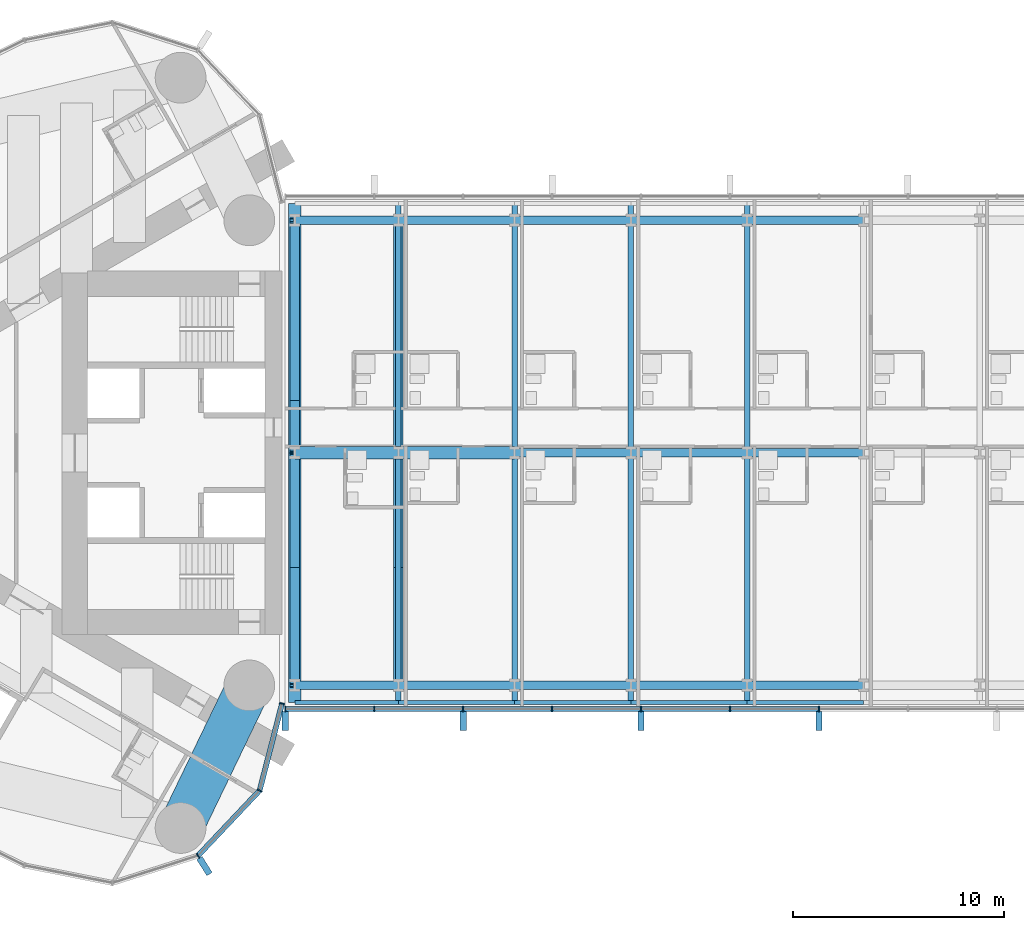
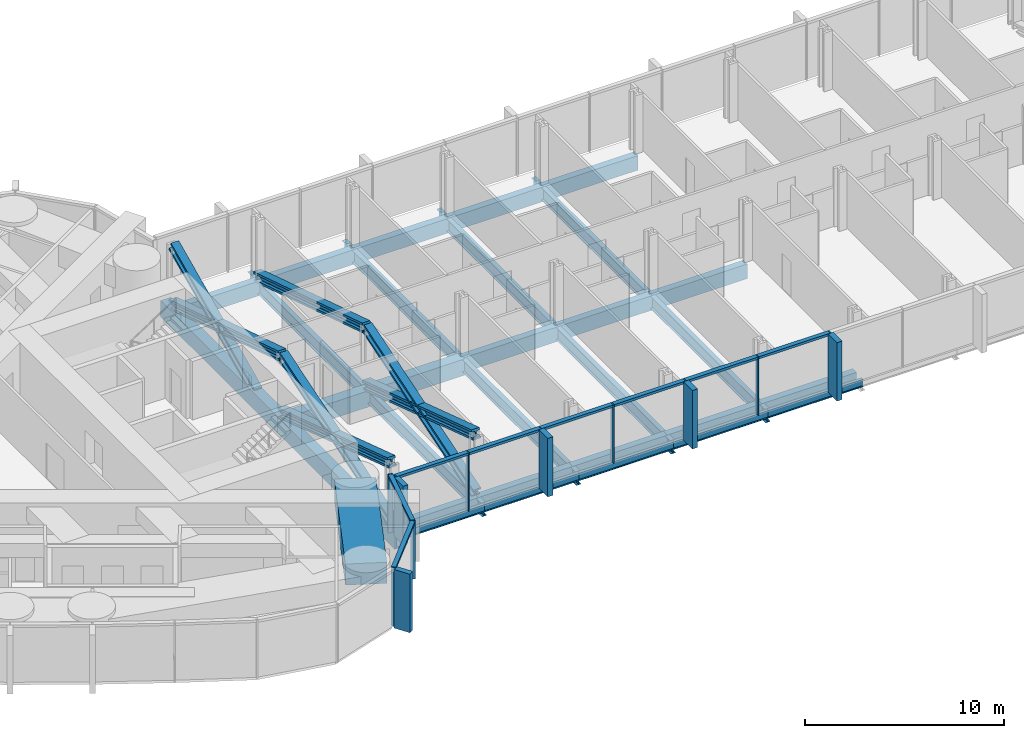
# One storey, part 4 of 23: 31 beams, 30 members, 2 elements without a shape of their own.
"""IFC4 building model written with IfcOpenShell, lengths in metres."""

from ifc_helpers import new_model, si_unit, direction, frame, origin, origin_2d, place, context, subcontext, project, spatial, rectangle, hollow_rectangle, i_section, extrude, material, material_profile, profile_set, type_object, element, aggregate, save


model = new_model("IFC4")

# Units and contexts
model_context = context("Model", 3, precision=1e-05, world=origin(), true_north=direction((0.0, 1.0)))
body_context = subcontext(model_context, "Body", "Model", "MODEL_VIEW")
ifc_project = project(units=[si_unit("LENGTHUNIT", "METRE"), si_unit("AREAUNIT", "SQUARE_METRE"), si_unit("VOLUMEUNIT", "CUBIC_METRE"), si_unit("PLANEANGLEUNIT", "RADIAN"), si_unit("MASSUNIT", "GRAM", prefix="KILO")], contexts=[model_context])

# Site, building, storey
site_placement = place(None, origin())
site = spatial("IfcSite", under=ifc_project, at=site_placement, CompositionType="ELEMENT")
building_placement = place(site_placement, origin())
building = spatial("IfcBuilding", under=site, at=building_placement, Name="Lancet Gate Hotel", CompositionType="ELEMENT")
storey_placement = place(building_placement, frame((0.0, 0.0, 222.5)))
storey = spatial("IfcBuildingStorey", under=building, at=storey_placement, Name="L59", CompositionType="ELEMENT", Elevation=222.5)

# Curtain wall, members
ifc_material_1 = material(Name="Aluminium curtain wall", Category="aluminium")
curtain_wall_type_1 = type_object("IfcCurtainWallType", Name="Tower unitised curtain wall", PredefinedType="USERDEFINED", material=ifc_material_1)
curtain_wall_1_placement = place(storey_placement, origin())
curtain_wall_1 = element("IfcCurtainWall", 1, at=curtain_wall_1_placement, inside=storey, type_object=curtain_wall_type_1, Name="T1 L59 curtain wall 1", ObjectType="UNITISED CURTAIN WALL", PredefinedType="USERDEFINED")
ifc_material_2 = material(Name="Aluminium mullion", Category="aluminium")
ifc_material_profile_1 = material_profile(ifc_material_2, rectangle(XDim=0.06494140625, YDim=0.25, at=origin_2d()), Name="MULLION 65x250")
ifc_profile_set_1 = profile_set([ifc_material_profile_1], Name="Aluminium mullion")
member_type_1 = type_object("IfcMemberType", Name="Aluminium mullion 65x250", PredefinedType="MULLION", material=ifc_profile_set_1)
member_1_placement = place(storey_placement, frame((-31.476318359375, -19.0576171875, 0.0), z_axis=(0.0, 0.0, 1.0), x_axis=(0.846612863, 0.532209225966, 0.0)))
member_1 = element("IfcMember", 2, at=member_1_placement, type_object=member_type_1, Name="T1 L59 curtain wall 1 mullion 23", PredefinedType="MULLION", context=body_context, shape_type="SweptSolid", body=[
    extrude(rectangle(XDim=0.06494140625, YDim=0.25, at=origin_2d()), origin(), (0.0, 0.0, 1.0), 3.60009765625),
])
member_2_placement = place(storey_placement, frame((-28.56005859375, -15.97216796875, 0.0), z_axis=(0.0, 0.0, 1.0), x_axis=(0.483627322447, 0.875274021654, 0.0)))
member_2 = element("IfcMember", 3, at=member_2_placement, type_object=member_type_1, Name="T1 L59 curtain wall 1 mullion 24", PredefinedType="MULLION", context=body_context, shape_type="SweptSolid", body=[
    extrude(rectangle(XDim=0.06494140625, YDim=0.25, at=origin_2d()), origin(), (0.0, 0.0, 1.0), 3.60009765625),
])
member_3_placement = place(storey_placement, frame((-27.5, -11.861572265625, 0.0), z_axis=(0.0, 0.0, 1.0), x_axis=(0.249725827997, 0.968316586056, 0.0)))
member_3 = element("IfcMember", 4, at=member_3_placement, type_object=member_type_1, Name="T1 L59 curtain wall 1 mullion 25", PredefinedType="MULLION", context=body_context, shape_type="SweptSolid", body=[
    extrude(rectangle(XDim=0.06494140625, YDim=0.25, at=origin_2d()), origin(), (0.0, 0.0, 1.0), 3.60009765625),
])

ifc_material_3 = material(Name="Aluminium curtain wall", Category="aluminium")
curtain_wall_type_2 = type_object("IfcCurtainWallType", Name="Bridge block curtain wall", PredefinedType="USERDEFINED", material=ifc_material_3)
curtain_wall_2_placement = place(storey_placement, origin())
curtain_wall_2 = element("IfcCurtainWall", 5, at=curtain_wall_2_placement, inside=storey, type_object=curtain_wall_type_2, Name="Bridge block L59 curtain wall S", ObjectType="UNITISED CURTAIN WALL", PredefinedType="USERDEFINED")
member_4_placement = place(storey_placement, frame((-27.35009765625, -12.1201171875, 0.0), z_axis=(0.0, 0.0, 1.0), x_axis=(1.0, 0.0, 0.0)))
member_4 = element("IfcMember", 6, at=member_4_placement, type_object=member_type_1, Name="Bridge block L59 curtain wall S mullion 1", PredefinedType="MULLION", context=body_context, shape_type="SweptSolid", body=[
    extrude(rectangle(XDim=0.06494140625, YDim=0.25, at=origin_2d()), origin(), (0.0, 0.0, 1.0), 3.60009765625),
])
member_5_placement = place(storey_placement, frame((-23.142333984375, -12.1201171875, 0.0), z_axis=(0.0, 0.0, 1.0), x_axis=(1.0, 0.0, 0.0)))
member_5 = element("IfcMember", 7, at=member_5_placement, type_object=member_type_1, Name="Bridge block L59 curtain wall S mullion 2", PredefinedType="MULLION", context=body_context, shape_type="SweptSolid", body=[
    extrude(rectangle(XDim=0.06494140625, YDim=0.25, at=origin_2d()), origin(), (0.0, 0.0, 1.0), 3.60009765625),
])
member_6_placement = place(storey_placement, frame((-18.9345703125, -12.1201171875, 0.0), z_axis=(0.0, 0.0, 1.0), x_axis=(1.0, 0.0, 0.0)))
member_6 = element("IfcMember", 8, at=member_6_placement, type_object=member_type_1, Name="Bridge block L59 curtain wall S mullion 3", PredefinedType="MULLION", context=body_context, shape_type="SweptSolid", body=[
    extrude(rectangle(XDim=0.06494140625, YDim=0.25, at=origin_2d()), origin(), (0.0, 0.0, 1.0), 3.60009765625),
])
member_7_placement = place(storey_placement, frame((-14.726806640625, -12.1201171875, 0.0), z_axis=(0.0, 0.0, 1.0), x_axis=(1.0, 0.0, 0.0)))
member_7 = element("IfcMember", 9, at=member_7_placement, type_object=member_type_1, Name="Bridge block L59 curtain wall S mullion 4", PredefinedType="MULLION", context=body_context, shape_type="SweptSolid", body=[
    extrude(rectangle(XDim=0.06494140625, YDim=0.25, at=origin_2d()), origin(), (0.0, 0.0, 1.0), 3.60009765625),
])
member_8_placement = place(storey_placement, frame((-10.519287109375, -12.1201171875, 0.0), z_axis=(0.0, 0.0, 1.0), x_axis=(1.0, 0.0, 0.0)))
member_8 = element("IfcMember", 10, at=member_8_placement, type_object=member_type_1, Name="Bridge block L59 curtain wall S mullion 5", PredefinedType="MULLION", context=body_context, shape_type="SweptSolid", body=[
    extrude(rectangle(XDim=0.06494140625, YDim=0.25, at=origin_2d()), origin(), (0.0, 0.0, 1.0), 3.60009765625),
])
member_9_placement = place(storey_placement, frame((-6.3115234375, -12.1201171875, 0.0), z_axis=(0.0, 0.0, 1.0), x_axis=(1.0, 0.0, 0.0)))
member_9 = element("IfcMember", 11, at=member_9_placement, type_object=member_type_1, Name="Bridge block L59 curtain wall S mullion 6", PredefinedType="MULLION", context=body_context, shape_type="SweptSolid", body=[
    extrude(rectangle(XDim=0.06494140625, YDim=0.25, at=origin_2d()), origin(), (0.0, 0.0, 1.0), 3.60009765625),
])
member_10_placement = place(storey_placement, frame((-2.103759765625, -12.1201171875, 0.0), z_axis=(0.0, 0.0, 1.0), x_axis=(1.0, 0.0, 0.0)))
member_10 = element("IfcMember", 12, at=member_10_placement, type_object=member_type_1, Name="Bridge block L59 curtain wall S mullion 7", PredefinedType="MULLION", context=body_context, shape_type="SweptSolid", body=[
    extrude(rectangle(XDim=0.06494140625, YDim=0.25, at=origin_2d()), origin(), (0.0, 0.0, 1.0), 3.60009765625),
])

# Member
ifc_material_4 = material(Name="Aluminium transom", Category="aluminium")
ifc_material_profile_2 = material_profile(ifc_material_4, rectangle(XDim=0.25, YDim=0.14990234375, at=origin_2d()), Name="TRANSOM 250x150")
ifc_profile_set_2 = profile_set([ifc_material_profile_2], Name="Aluminium transom")
member_type_2 = type_object("IfcMemberType", Name="Aluminium transom 250x150", PredefinedType="USERDEFINED", material=ifc_profile_set_2)
member_11_placement = place(storey_placement, frame((-31.453857421875, -19.033935546875, 3.52490234375), z_axis=(0.686880731091, 0.726770157103, 0.0), x_axis=(-0.726770157103, 0.686880731091, 0.0)))
member_11 = element("IfcMember", 13, at=member_11_placement, type_object=member_type_2, Name="T1 L59 curtain wall 1 transom 23", ObjectType="TRANSOM", PredefinedType="USERDEFINED", context=body_context, shape_type="SweptSolid", body=[
    extrude(rectangle(XDim=0.25, YDim=0.14990234375, at=origin_2d()), origin(), (0.0, 0.0, 1.0), 4.18017578125),
])

member_12_placement = place(storey_placement, frame((-28.552001953125, -15.94091796875, 3.52490234375), z_axis=(0.249715522936, 0.968319243641, 0.0), x_axis=(-0.968319243641, 0.249715522936, 0.0)))
member_12 = element("IfcMember", 14, at=member_12_placement, type_object=member_type_2, Name="T1 L59 curtain wall 1 transom 24", ObjectType="TRANSOM", PredefinedType="USERDEFINED", context=body_context, shape_type="SweptSolid", body=[
    extrude(rectangle(XDim=0.25, YDim=0.14990234375, at=origin_2d()), origin(), (0.0, 0.0, 1.0), 4.180419921875),
])

member_13_placement = place(storey_placement, frame((-27.3173828125, -12.1201171875, 3.52490234375), z_axis=(1.0, 0.0, 0.0), x_axis=(0.0, 1.0, 0.0)))
member_13 = element("IfcMember", 15, at=member_13_placement, type_object=member_type_2, Name="Bridge block L59 curtain wall S transom 1", ObjectType="TRANSOM", PredefinedType="USERDEFINED", context=body_context, shape_type="SweptSolid", body=[
    extrude(rectangle(XDim=0.25, YDim=0.14990234375, at=origin_2d()), origin(), (0.0, 0.0, 1.0), 4.142578125),
])

member_14_placement = place(storey_placement, frame((-23.10986328125, -12.1201171875, 3.52490234375), z_axis=(1.0, 0.0, 0.0), x_axis=(0.0, 1.0, 0.0)))
member_14 = element("IfcMember", 16, at=member_14_placement, type_object=member_type_2, Name="Bridge block L59 curtain wall S transom 2", ObjectType="TRANSOM", PredefinedType="USERDEFINED", context=body_context, shape_type="SweptSolid", body=[
    extrude(rectangle(XDim=0.25, YDim=0.14990234375, at=origin_2d()), origin(), (0.0, 0.0, 1.0), 4.142822265625),
])

member_15_placement = place(storey_placement, frame((-18.902099609375, -12.1201171875, 3.52490234375), z_axis=(1.0, 0.0, 0.0), x_axis=(0.0, 1.0, 0.0)))
member_15 = element("IfcMember", 17, at=member_15_placement, type_object=member_type_2, Name="Bridge block L59 curtain wall S transom 3", ObjectType="TRANSOM", PredefinedType="USERDEFINED", context=body_context, shape_type="SweptSolid", body=[
    extrude(rectangle(XDim=0.25, YDim=0.14990234375, at=origin_2d()), origin(), (0.0, 0.0, 1.0), 4.142578125),
])

member_16_placement = place(storey_placement, frame((-14.6943359375, -12.1201171875, 3.52490234375), z_axis=(1.0, 0.0, 0.0), x_axis=(0.0, 1.0, 0.0)))
member_16 = element("IfcMember", 18, at=member_16_placement, type_object=member_type_2, Name="Bridge block L59 curtain wall S transom 4", ObjectType="TRANSOM", PredefinedType="USERDEFINED", context=body_context, shape_type="SweptSolid", body=[
    extrude(rectangle(XDim=0.25, YDim=0.14990234375, at=origin_2d()), origin(), (0.0, 0.0, 1.0), 4.142578125),
])

member_17_placement = place(storey_placement, frame((-10.48681640625, -12.1201171875, 3.52490234375), z_axis=(1.0, 0.0, 0.0), x_axis=(0.0, 1.0, 0.0)))
member_17 = element("IfcMember", 19, at=member_17_placement, type_object=member_type_2, Name="Bridge block L59 curtain wall S transom 5", ObjectType="TRANSOM", PredefinedType="USERDEFINED", context=body_context, shape_type="SweptSolid", body=[
    extrude(rectangle(XDim=0.25, YDim=0.14990234375, at=origin_2d()), origin(), (0.0, 0.0, 1.0), 4.142822265625),
])

member_18_placement = place(storey_placement, frame((-6.279052734375, -12.1201171875, 3.52490234375), z_axis=(1.0, 0.0, 0.0), x_axis=(0.0, 1.0, 0.0)))
member_18 = element("IfcMember", 20, at=member_18_placement, type_object=member_type_2, Name="Bridge block L59 curtain wall S transom 6", ObjectType="TRANSOM", PredefinedType="USERDEFINED", context=body_context, shape_type="SweptSolid", body=[
    extrude(rectangle(XDim=0.25, YDim=0.14990234375, at=origin_2d()), origin(), (0.0, 0.0, 1.0), 4.142822265625),
])

# Members
ifc_material_5 = material(Name="Steel S460", Category="steel")
ifc_material_profile_3 = material_profile(ifc_material_5, i_section(OverallWidth=0.4541015625, OverallDepth=0.569091796875, WebThickness=0.077880859375, FlangeThickness=0.125, FilletRadius=0.02001953125, at=origin_2d()), Name="HD 400x1086")
ifc_profile_set_3 = profile_set([ifc_material_profile_3], Name="Steel S460")
member_type_3 = type_object("IfcMemberType", Name="Block brace HD 400x1086", PredefinedType="BRACE", material=ifc_profile_set_3)
member_19_placement = place(storey_placement, frame((-26.89990234375, -11.0, 0.0), z_axis=(0.0, 0.952925780013, 0.303203657277), x_axis=(-1.0, 0.0, 0.0)))
element("IfcMember", 21, at=member_19_placement, inside=storey, type_object=member_type_3, Name="Block brace WY11 L59", PredefinedType="BRACE", context=body_context, shape_type="SweptSolid", body=[
    extrude(i_section(OverallWidth=0.4541015625, OverallDepth=0.569091796875, WebThickness=0.077880859375, FlangeThickness=0.125, FilletRadius=0.02001953125, at=origin_2d()), origin(), (0.0, 0.0, 1.0), 11.54345703125),
])
member_20_placement = place(storey_placement, frame((-26.89990234375, 0.0, 0.0), z_axis=(0.0, -0.950394634814, 0.311046681573), x_axis=(1.0, 0.0, 0.0)))
element("IfcMember", 22, at=member_20_placement, inside=storey, type_object=member_type_3, Name="Block brace WY12 L59", PredefinedType="BRACE", context=body_context, shape_type="SweptSolid", body=[
    extrude(i_section(OverallWidth=0.4541015625, OverallDepth=0.569091796875, WebThickness=0.077880859375, FlangeThickness=0.125, FilletRadius=0.02001953125, at=origin_2d()), origin(), (0.0, 0.0, 1.0), 11.57421875),
])
for number, where, z_axis, x_axis, name in (
    (23, (-26.89990234375, 11.0, 0.0), (0.0, -0.952925780013, 0.303203657277), (1.0, 0.0, 0.0), "Block brace WY22 L59"),
    (24, (-22.0, -11.0, 0.0), (0.0, 0.952925780013, 0.303203657277), (-1.0, 0.0, 0.0), "Block brace WI11 L59"),
):
    element("IfcMember", number, at=place(storey_placement, frame(where, z_axis=z_axis, x_axis=x_axis)), inside=storey, type_object=member_type_3, Name=name, PredefinedType="BRACE", context=body_context, shape_type="SweptSolid", body=[
        extrude(i_section(OverallWidth=0.4541015625, OverallDepth=0.569091796875, WebThickness=0.077880859375, FlangeThickness=0.125, FilletRadius=0.02001953125, at=origin_2d()), origin(), (0.0, 0.0, 1.0), 11.54345703125),
    ])
member_21_placement = place(storey_placement, frame((-22.0, 0.0, 0.0), z_axis=(0.0, -0.950394634814, 0.311046681573), x_axis=(1.0, 0.0, 0.0)))
element("IfcMember", 25, at=member_21_placement, inside=storey, type_object=member_type_3, Name="Block brace WI12 L59", PredefinedType="BRACE", context=body_context, shape_type="SweptSolid", body=[
    extrude(i_section(OverallWidth=0.4541015625, OverallDepth=0.569091796875, WebThickness=0.077880859375, FlangeThickness=0.125, FilletRadius=0.02001953125, at=origin_2d()), origin(), (0.0, 0.0, 1.0), 11.57421875),
])
member_22_placement = place(storey_placement, frame((-22.0, 11.0, 0.0), z_axis=(0.0, -0.952925780013, 0.303203657277), x_axis=(1.0, 0.0, 0.0)))
element("IfcMember", 26, at=member_22_placement, inside=storey, type_object=member_type_3, Name="Block brace WI22 L59", PredefinedType="BRACE", context=body_context, shape_type="SweptSolid", body=[
    extrude(i_section(OverallWidth=0.4541015625, OverallDepth=0.569091796875, WebThickness=0.077880859375, FlangeThickness=0.125, FilletRadius=0.02001953125, at=origin_2d()), origin(), (0.0, 0.0, 1.0), 11.54345703125),
])
member_23_placement = place(storey_placement, frame((-26.89990234375, 2.60009765625, -0.300048828125), z_axis=(0.0, 0.907001056309, 0.42112834606), x_axis=(-1.0, 0.0, 0.0)))
element("IfcMember", 27, at=member_23_placement, inside=storey, type_object=member_type_3, Name="Block brace WY23 L59", PredefinedType="BRACE", context=body_context, shape_type="SweptSolid", body=[
    extrude(i_section(OverallWidth=0.4541015625, OverallDepth=0.569091796875, WebThickness=0.077880859375, FlangeThickness=0.125, FilletRadius=0.02001953125, at=origin_2d()), origin(), (0.0, 0.0, 1.0), 9.26123046875),
])

# Beams
ifc_material_6 = material(Name="Steel S355", Category="steel")
ifc_material_profile_4 = material_profile(ifc_material_6, i_section(OverallWidth=0.19140625, OverallDepth=0.4599609375, WebThickness=0.010009765625, FlangeThickness=0.01611328125, FilletRadius=0.01025390625, at=origin_2d()), Name="UKB 457x191x82")
ifc_profile_set_4 = profile_set([ifc_material_profile_4], Name="Steel S355")
beam_type_1 = type_object("IfcBeamType", Name="Block edge beam UKB 457x191x82", PredefinedType="SPANDREL", material=ifc_profile_set_4)
beam_1_placement = place(storey_placement, frame((-26.89990234375, -11.800048828125, -0.429931640625), z_axis=(1.0, 0.0, 0.0), x_axis=(0.0, 1.0, 0.0)))
element("IfcBeam", 28, at=beam_1_placement, inside=storey, type_object=beam_type_1, Name="Block edge beam S 0-1 L59", PredefinedType="SPANDREL", context=body_context, shape_type="SweptSolid", body=[
    extrude(i_section(OverallWidth=0.19140625, OverallDepth=0.4599609375, WebThickness=0.010009765625, FlangeThickness=0.01611328125, FilletRadius=0.01025390625, at=origin_2d()), origin(), (0.0, 0.0, 1.0), 4.89990234375),
])
for number, where, z_axis, x_axis, name in (
    (29, (-22.0, -11.800048828125, -0.429931640625), (1.0, 0.0, 0.0), (0.0, 1.0, 0.0), "Block edge beam S 1-2 L59"),
    (30, (-16.5, -11.800048828125, -0.429931640625), (1.0, 0.0, 0.0), (0.0, 1.0, 0.0), "Block edge beam S 2-3 L59"),
    (31, (-11.0, -11.800048828125, -0.429931640625), (1.0, 0.0, 0.0), (0.0, 1.0, 0.0), "Block edge beam S 3-4 L59"),
    (32, (-5.5, -11.800048828125, -0.429931640625), (1.0, 0.0, 0.0), (0.0, 1.0, 0.0), "Block edge beam S 4-5 L59"),
):
    element("IfcBeam", number, at=place(storey_placement, frame(where, z_axis=z_axis, x_axis=x_axis)), inside=storey, type_object=beam_type_1, Name=name, PredefinedType="SPANDREL", context=body_context, shape_type="SweptSolid", body=[
        extrude(i_section(OverallWidth=0.19140625, OverallDepth=0.4599609375, WebThickness=0.010009765625, FlangeThickness=0.01611328125, FilletRadius=0.01025390625, at=origin_2d()), origin(), (0.0, 0.0, 1.0), 5.5),
    ])
ifc_material_7 = material(Name="Steel S460QL", Category="steel")
ifc_material_profile_5 = material_profile(ifc_material_7, hollow_rectangle(XDim=0.60009765625, YDim=1.0, WallThickness=0.10009765625, at=origin_2d()), Name="BOX 1000x600x100")
ifc_profile_set_5 = profile_set([ifc_material_profile_5], Name="Steel S460QL")
beam_type_2 = type_object("IfcBeamType", Name="Block end beam BOX 1000x600x100", PredefinedType="BEAM", material=ifc_profile_set_5)
for number, where, z_axis, x_axis, name in (
    (33, (-26.89990234375, -11.800048828125, -0.699951171875), (0.0, 1.0, 0.0), (-1.0, 0.0, 0.0), "Block beam x0 S L59"),
    (34, (-26.89990234375, 0.0, -0.699951171875), (0.0, 1.0, 0.0), (-1.0, 0.0, 0.0), "Block beam x0 N L59"),
):
    element("IfcBeam", number, at=place(storey_placement, frame(where, z_axis=z_axis, x_axis=x_axis)), inside=storey, type_object=beam_type_2, Name=name, PredefinedType="BEAM", context=body_context, shape_type="SweptSolid", body=[
        extrude(hollow_rectangle(XDim=0.60009765625, YDim=1.0, WallThickness=0.10009765625, at=origin_2d()), origin(), (0.0, 0.0, 1.0), 11.800048828125),
    ])
ifc_material_8 = material(Name="Steel S460QL", Category="steel")
ifc_material_profile_6 = material_profile(ifc_material_8, hollow_rectangle(XDim=0.60009765625, YDim=1.0, WallThickness=0.080078125, at=origin_2d()), Name="BOX 1000x600x80")
ifc_profile_set_6 = profile_set([ifc_material_profile_6], Name="Steel S460QL")
beam_type_3 = type_object("IfcBeamType", Name="Block primary beam BOX 1000x600x80", PredefinedType="BEAM", material=ifc_profile_set_6)
beam_2_placement = place(storey_placement, frame((-26.89990234375, 0.0, -0.699951171875), z_axis=(1.0, 0.0, 0.0), x_axis=(0.0, 1.0, 0.0)))
element("IfcBeam", 35, at=beam_2_placement, inside=storey, type_object=beam_type_3, Name="Block primary beam M 1 L59", PredefinedType="BEAM", context=body_context, shape_type="SweptSolid", body=[
    extrude(hollow_rectangle(XDim=0.60009765625, YDim=1.0, WallThickness=0.080078125, at=origin_2d()), origin(), (0.0, 0.0, 1.0), 4.89990234375),
])
beam_3_placement = place(storey_placement, frame((-22.0, 0.0, -0.699951171875), z_axis=(1.0, 0.0, 0.0), x_axis=(0.0, 1.0, 0.0)))
element("IfcBeam", 36, at=beam_3_placement, inside=storey, type_object=beam_type_3, Name="Block primary beam M 2 L59", PredefinedType="BEAM", context=body_context, shape_type="SweptSolid", body=[
    extrude(hollow_rectangle(XDim=0.60009765625, YDim=1.0, WallThickness=0.080078125, at=origin_2d()), origin(), (0.0, 0.0, 1.0), 5.5),
])
ifc_material_9 = material(Name="Steel S355", Category="steel")
ifc_material_profile_7 = material_profile(ifc_material_9, hollow_rectangle(XDim=0.39990234375, YDim=0.89990234375, WallThickness=0.0400390625, at=origin_2d()), Name="BOX 900x400x40")
ifc_profile_set_7 = profile_set([ifc_material_profile_7], Name="Steel S355")
beam_type_4 = type_object("IfcBeamType", Name="Block primary beam BOX 900x400x40", PredefinedType="BEAM", material=ifc_profile_set_7)
beam_4_placement = place(storey_placement, frame((-26.89990234375, -11.0, -0.64990234375), z_axis=(1.0, 0.0, 0.0), x_axis=(0.0, 1.0, 0.0)))
element("IfcBeam", 37, at=beam_4_placement, inside=storey, type_object=beam_type_4, Name="Block primary beam S 1 L59", PredefinedType="BEAM", context=body_context, shape_type="SweptSolid", body=[
    extrude(hollow_rectangle(XDim=0.39990234375, YDim=0.89990234375, WallThickness=0.0400390625, at=origin_2d()), origin(), (0.0, 0.0, 1.0), 4.89990234375),
])
for number, where, z_axis, x_axis, name in (
    (38, (-22.0, -11.0, -0.64990234375), (1.0, 0.0, 0.0), (0.0, 1.0, 0.0), "Block primary beam S 2 L59"),
    (39, (-16.5, -11.0, -0.64990234375), (1.0, 0.0, 0.0), (0.0, 1.0, 0.0), "Block primary beam S 3 L59"),
    (40, (-11.0, -11.0, -0.64990234375), (1.0, 0.0, 0.0), (0.0, 1.0, 0.0), "Block primary beam S 4 L59"),
    (41, (-5.5, -11.0, -0.64990234375), (1.0, 0.0, 0.0), (0.0, 1.0, 0.0), "Block primary beam S 5 L59"),
    (42, (-16.5, 0.0, -0.64990234375), (1.0, 0.0, 0.0), (0.0, 1.0, 0.0), "Block primary beam M 3 L59"),
    (43, (-11.0, 0.0, -0.64990234375), (1.0, 0.0, 0.0), (0.0, 1.0, 0.0), "Block primary beam M 4 L59"),
    (44, (-5.5, 0.0, -0.64990234375), (1.0, 0.0, 0.0), (0.0, 1.0, 0.0), "Block primary beam M 5 L59"),
):
    element("IfcBeam", number, at=place(storey_placement, frame(where, z_axis=z_axis, x_axis=x_axis)), inside=storey, type_object=beam_type_4, Name=name, PredefinedType="BEAM", context=body_context, shape_type="SweptSolid", body=[
        extrude(hollow_rectangle(XDim=0.39990234375, YDim=0.89990234375, WallThickness=0.0400390625, at=origin_2d()), origin(), (0.0, 0.0, 1.0), 5.5),
    ])
beam_5_placement = place(storey_placement, frame((-26.89990234375, 11.0, -0.64990234375), z_axis=(1.0, 0.0, 0.0), x_axis=(0.0, 1.0, 0.0)))
element("IfcBeam", 45, at=beam_5_placement, inside=storey, type_object=beam_type_4, Name="Block primary beam N 1 L59", PredefinedType="BEAM", context=body_context, shape_type="SweptSolid", body=[
    extrude(hollow_rectangle(XDim=0.39990234375, YDim=0.89990234375, WallThickness=0.0400390625, at=origin_2d()), origin(), (0.0, 0.0, 1.0), 4.89990234375),
])
for number, where, z_axis, x_axis, name in (
    (46, (-22.0, 11.0, -0.64990234375), (1.0, 0.0, 0.0), (0.0, 1.0, 0.0), "Block primary beam N 2 L59"),
    (47, (-16.5, 11.0, -0.64990234375), (1.0, 0.0, 0.0), (0.0, 1.0, 0.0), "Block primary beam N 3 L59"),
    (48, (-11.0, 11.0, -0.64990234375), (1.0, 0.0, 0.0), (0.0, 1.0, 0.0), "Block primary beam N 4 L59"),
    (49, (-5.5, 11.0, -0.64990234375), (1.0, 0.0, 0.0), (0.0, 1.0, 0.0), "Block primary beam N 5 L59"),
):
    element("IfcBeam", number, at=place(storey_placement, frame(where, z_axis=z_axis, x_axis=x_axis)), inside=storey, type_object=beam_type_4, Name=name, PredefinedType="BEAM", context=body_context, shape_type="SweptSolid", body=[
        extrude(hollow_rectangle(XDim=0.39990234375, YDim=0.89990234375, WallThickness=0.0400390625, at=origin_2d()), origin(), (0.0, 0.0, 1.0), 5.5),
    ])
ifc_material_10 = material(Name="Steel S355", Category="steel")
ifc_material_profile_8 = material_profile(ifc_material_10, i_section(OverallWidth=0.26806640625, OverallDepth=0.769775390625, WebThickness=0.015625, FlangeThickness=0.025390625, FilletRadius=0.0166015625, at=origin_2d()), Name="UKB 762x267x197")
ifc_profile_set_8 = profile_set([ifc_material_profile_8], Name="Steel S355")
beam_type_5 = type_object("IfcBeamType", Name="Block secondary beam UKB 762x267x197", PredefinedType="JOIST", material=ifc_profile_set_8)
for number, where, z_axis, x_axis, name in (
    (50, (-22.0, -11.800048828125, -0.5849609375), (0.0, 1.0, 0.0), (-1.0, 0.0, 0.0), "Block beam x1 S L59"),
    (51, (-22.0, 0.0, -0.5849609375), (0.0, 1.0, 0.0), (-1.0, 0.0, 0.0), "Block beam x1 N L59"),
    (52, (-16.5, -11.800048828125, -0.5849609375), (0.0, 1.0, 0.0), (-1.0, 0.0, 0.0), "Block beam x2 S L59"),
    (53, (-16.5, 0.0, -0.5849609375), (0.0, 1.0, 0.0), (-1.0, 0.0, 0.0), "Block beam x2 N L59"),
    (54, (-11.0, -11.800048828125, -0.5849609375), (0.0, 1.0, 0.0), (-1.0, 0.0, 0.0), "Block beam x3 S L59"),
    (55, (-11.0, 0.0, -0.5849609375), (0.0, 1.0, 0.0), (-1.0, 0.0, 0.0), "Block beam x3 N L59"),
    (56, (-5.5, -11.800048828125, -0.5849609375), (0.0, 1.0, 0.0), (-1.0, 0.0, 0.0), "Block beam x4 S L59"),
    (57, (-5.5, 0.0, -0.5849609375), (0.0, 1.0, 0.0), (-1.0, 0.0, 0.0), "Block beam x4 N L59"),
):
    element("IfcBeam", number, at=place(storey_placement, frame(where, z_axis=z_axis, x_axis=x_axis)), inside=storey, type_object=beam_type_5, Name=name, PredefinedType="JOIST", context=body_context, shape_type="SweptSolid", body=[
        extrude(i_section(OverallWidth=0.26806640625, OverallDepth=0.769775390625, WebThickness=0.015625, FlangeThickness=0.025390625, FilletRadius=0.0166015625, at=origin_2d()), origin(), (0.0, 0.0, 1.0), 11.800048828125),
    ])
ifc_material_11 = material(Name="Concrete C50/60", Category="concrete")
ifc_material_profile_9 = material_profile(ifc_material_11, rectangle(XDim=2.10009765625, YDim=1.300048828125, at=origin_2d()), Name="RC 2100x1300")
ifc_profile_set_9 = profile_set([ifc_material_profile_9], Name="Concrete C50/60")
beam_type_6 = type_object("IfcBeamType", Name="Edge beam RC 2100x1300", PredefinedType="SPANDREL", material=ifc_profile_set_9)
beam_6_placement = place(storey_placement, frame((-29.050048828125, -11.0, 2.699951171875), z_axis=(-0.434163599361, -0.900834040759, 0.0), x_axis=(0.900834040759, -0.434163599361, 0.0)))
element("IfcBeam", 58, at=beam_6_placement, inside=storey, type_object=beam_type_6, Name="T1 edge beam EB1 L59", PredefinedType="SPANDREL", context=body_context, shape_type="SweptSolid", body=[
    extrude(rectangle(XDim=2.10009765625, YDim=1.300048828125, at=origin_2d()), origin(), (0.0, 0.0, 1.0), 7.48779296875),
])

# Member
ifc_material_12 = material(Name="Precast concrete C50/60", Category="concrete")
ifc_material_profile_10 = material_profile(ifc_material_12, rectangle(XDim=0.300048828125, YDim=0.89990234375, at=origin_2d()), Name="FIN 300x900")
ifc_profile_set_10 = profile_set([ifc_material_profile_10], Name="Precast concrete C50/60")
member_type_4 = type_object("IfcMemberType", Name="Exposed concrete fin 300x900", PredefinedType="USERDEFINED", material=ifc_profile_set_10)
member_24_placement = place(storey_placement, frame((-31.170166015625, -19.54443359375, 0.0), z_axis=(0.0, 0.0, 1.0), x_axis=(0.846612863, 0.532209225966, 0.0)))
member_24 = element("IfcMember", 59, at=member_24_placement, type_object=member_type_4, Name="T1 L59 curtain wall 1 fin 23", ObjectType="FIN", PredefinedType="USERDEFINED", context=body_context, shape_type="SweptSolid", body=[
    extrude(rectangle(XDim=0.300048828125, YDim=0.89990234375, at=origin_2d()), origin(), (0.0, 0.0, 1.0), 3.60009765625),
])

aggregate(curtain_wall_1, [member_1, member_24, member_2, member_3, member_11, member_12])

member_25_placement = place(storey_placement, frame((-27.35009765625, -12.695068359375, 0.0), z_axis=(0.0, 0.0, 1.0), x_axis=(1.0, 0.0, 0.0)))
member_25 = element("IfcMember", 60, at=member_25_placement, type_object=member_type_4, Name="Bridge block L59 curtain wall S fin 1", ObjectType="FIN", PredefinedType="USERDEFINED", context=body_context, shape_type="SweptSolid", body=[
    extrude(rectangle(XDim=0.300048828125, YDim=0.89990234375, at=origin_2d()), origin(), (0.0, 0.0, 1.0), 3.60009765625),
])

member_26_placement = place(storey_placement, frame((-18.9345703125, -12.695068359375, 0.0), z_axis=(0.0, 0.0, 1.0), x_axis=(1.0, 0.0, 0.0)))
member_26 = element("IfcMember", 61, at=member_26_placement, type_object=member_type_4, Name="Bridge block L59 curtain wall S fin 3", ObjectType="FIN", PredefinedType="USERDEFINED", context=body_context, shape_type="SweptSolid", body=[
    extrude(rectangle(XDim=0.300048828125, YDim=0.89990234375, at=origin_2d()), origin(), (0.0, 0.0, 1.0), 3.60009765625),
])

member_27_placement = place(storey_placement, frame((-10.519287109375, -12.695068359375, 0.0), z_axis=(0.0, 0.0, 1.0), x_axis=(1.0, 0.0, 0.0)))
member_27 = element("IfcMember", 62, at=member_27_placement, type_object=member_type_4, Name="Bridge block L59 curtain wall S fin 5", ObjectType="FIN", PredefinedType="USERDEFINED", context=body_context, shape_type="SweptSolid", body=[
    extrude(rectangle(XDim=0.300048828125, YDim=0.89990234375, at=origin_2d()), origin(), (0.0, 0.0, 1.0), 3.60009765625),
])

member_28_placement = place(storey_placement, frame((-2.103759765625, -12.695068359375, 0.0), z_axis=(0.0, 0.0, 1.0), x_axis=(1.0, 0.0, 0.0)))
member_28 = element("IfcMember", 63, at=member_28_placement, type_object=member_type_4, Name="Bridge block L59 curtain wall S fin 7", ObjectType="FIN", PredefinedType="USERDEFINED", context=body_context, shape_type="SweptSolid", body=[
    extrude(rectangle(XDim=0.300048828125, YDim=0.89990234375, at=origin_2d()), origin(), (0.0, 0.0, 1.0), 3.60009765625),
])

aggregate(curtain_wall_2, [member_4, member_25, member_5, member_6, member_26, member_7, member_8, member_27, member_9, member_10, member_28, member_13, member_14, member_15, member_16, member_17, member_18])

save(model, "model.ifc")
